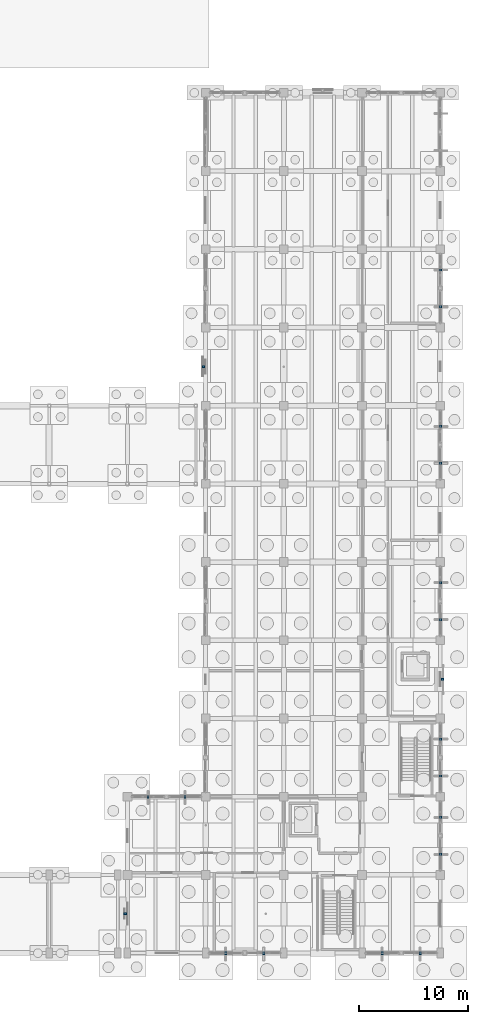
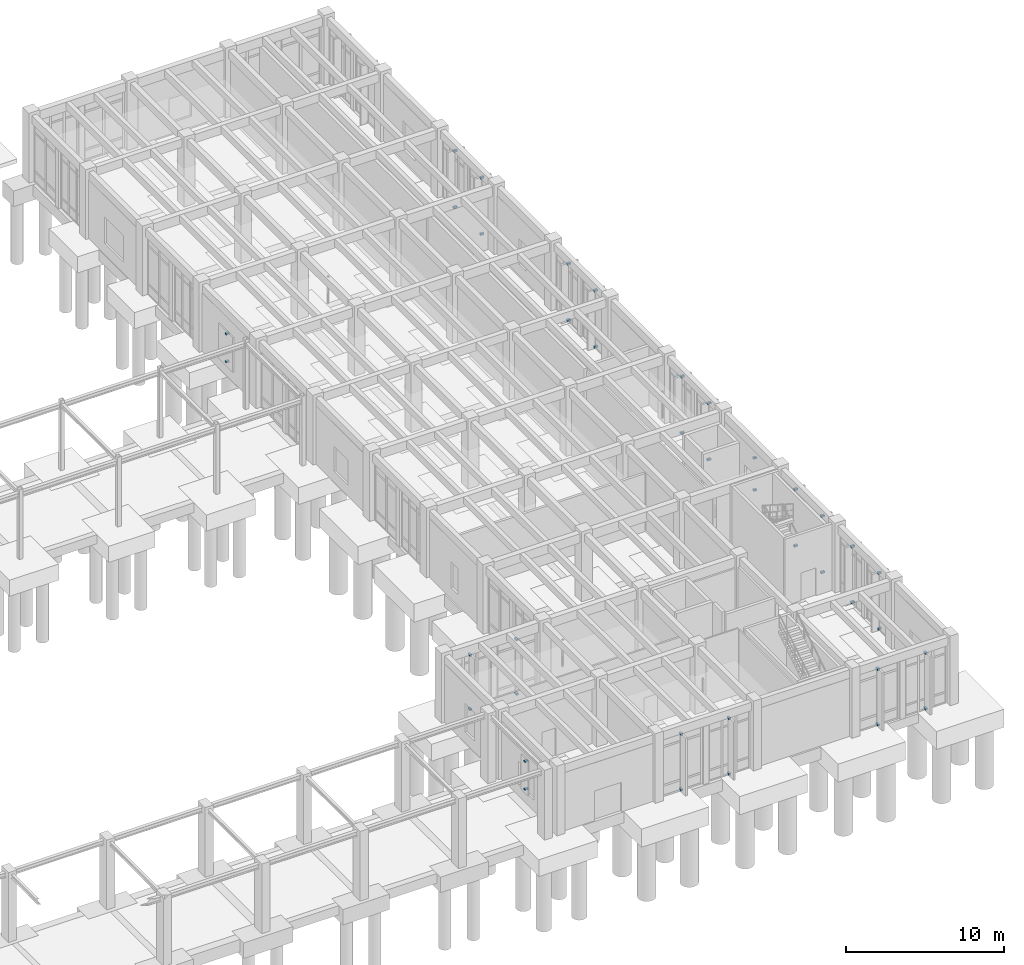
# One storey, part 81 of 93: 38 discrete accessories.
"""IFC4 building model written with IfcOpenShell, lengths in metres."""

from ifc_helpers import new_model, si_unit, direction, frame, origin, origin_2d, place, context, subcontext, project, spatial, rectangle, extrude, material, type_object, element, save


model = new_model("IFC4")

# Units and contexts
model_context = context("Model", 3, precision=1e-05, world=origin(), true_north=direction((0.0, 1.0)))
body_context = subcontext(model_context, "Body", "Model", "MODEL_VIEW")
ifc_project = project(units=[si_unit("LENGTHUNIT", "METRE"), si_unit("AREAUNIT", "SQUARE_METRE"), si_unit("VOLUMEUNIT", "CUBIC_METRE"), si_unit("PLANEANGLEUNIT", "RADIAN"), si_unit("MASSUNIT", "GRAM", prefix="KILO")], contexts=[model_context])

# Site, building, storey
site_placement = place(None, origin())
site = spatial("IfcSite", under=ifc_project, at=site_placement, CompositionType="ELEMENT")
building_placement = place(site_placement, origin())
building = spatial("IfcBuilding", under=site, at=building_placement, Name="Koriwan Promenade Central Fire Station", CompositionType="ELEMENT")
storey_placement = place(building_placement, origin())
storey = spatial("IfcBuildingStorey", under=building, at=storey_placement, Name="L00", CompositionType="ELEMENT", Elevation=0.0)

# Discrete accessories
ifc_material = material(Name="Steel ASTM A572 Grade 50", Category="steel")
discrete_accessory_type_1 = type_object("IfcDiscreteAccessoryType", Name="FacadeBracket_Fin", PredefinedType="BRACKET", material=ifc_material)
for number, where, z_axis, x_axis, name in (
    (1, (170.949951171875, -0.02001953125, 0.02001953125), (0.0, 0.0, 1.0), (0.0, -1.0, 0.0), "Solar fin outrigger bracket 011-BOT"),
    (2, (170.949951171875, -0.02001953125, 4.330078125), (0.0, 0.0, 1.0), (0.0, -1.0, 0.0), "Solar fin outrigger bracket 011-TOP"),
    (3, (167.449951171875, -0.02001953125, 0.02001953125), (0.0, 0.0, 1.0), (0.0, -1.0, 0.0), "Solar fin outrigger bracket 012-BOT"),
    (4, (167.449951171875, -0.02001953125, 4.330078125), (0.0, 0.0, 1.0), (0.0, -1.0, 0.0), "Solar fin outrigger bracket 012-TOP"),
    (5, (156.550048828125, -0.02001953125, 0.02001953125), (0.0, 0.0, 1.0), (0.0, -1.0, 0.0), "Solar fin outrigger bracket 013-BOT"),
    (6, (156.550048828125, -0.02001953125, 4.330078125), (0.0, 0.0, 1.0), (0.0, -1.0, 0.0), "Solar fin outrigger bracket 013-TOP"),
    (7, (153.050048828125, -0.02001953125, 0.02001953125), (0.0, 0.0, 1.0), (0.0, -1.0, 0.0), "Solar fin outrigger bracket 014-BOT"),
    (8, (153.050048828125, -0.02001953125, 4.330078125), (0.0, 0.0, 1.0), (0.0, -1.0, 0.0), "Solar fin outrigger bracket 014-TOP"),
    (9, (145.89990234375, 14.3798828125, 0.02001953125), (0.0, 0.0, 1.0), (0.0, -1.0, 0.0), "Solar fin outrigger bracket 015-BOT"),
    (10, (145.89990234375, 14.3798828125, 4.22998046875), (0.0, 0.0, 1.0), (0.0, -1.0, 0.0), "Solar fin outrigger bracket 015-TOP"),
    (11, (149.300048828125, 14.3798828125, 0.02001953125), (0.0, 0.0, 1.0), (0.0, -1.0, 0.0), "Solar fin outrigger bracket 016-BOT"),
    (12, (149.300048828125, 14.3798828125, 4.22998046875), (0.0, 0.0, 1.0), (0.0, -1.0, 0.0), "Solar fin outrigger bracket 016-TOP"),
    (13, (172.820068359375, 62.89990234375, 0.02001953125), (0.0, 0.0, 1.0), (1.0, 0.0, 0.0), "Solar fin outrigger bracket 019-BOT"),
    (14, (172.820068359375, 62.89990234375, 4.3798828125), (0.0, 0.0, 1.0), (1.0, 0.0, 0.0), "Solar fin outrigger bracket 019-TOP"),
    (15, (172.820068359375, 59.5, 0.02001953125), (0.0, 0.0, 1.0), (1.0, 0.0, 0.0), "Solar fin outrigger bracket 020-BOT"),
    (16, (172.820068359375, 59.5, 4.3798828125), (0.0, 0.0, 1.0), (1.0, 0.0, 0.0), "Solar fin outrigger bracket 020-TOP"),
    (17, (172.820068359375, 48.5, 0.02001953125), (0.0, 0.0, 1.0), (1.0, 0.0, 0.0), "Solar fin outrigger bracket 021-BOT"),
    (18, (172.820068359375, 48.5, 4.3798828125), (0.0, 0.0, 1.0), (1.0, 0.0, 0.0), "Solar fin outrigger bracket 021-TOP"),
    (19, (172.820068359375, 45.10009765625, 0.02001953125), (0.0, 0.0, 1.0), (1.0, 0.0, 0.0), "Solar fin outrigger bracket 022-BOT"),
    (20, (172.820068359375, 45.10009765625, 4.3798828125), (0.0, 0.0, 1.0), (1.0, 0.0, 0.0), "Solar fin outrigger bracket 022-TOP"),
    (21, (172.820068359375, 34.10009765625, 0.02001953125), (0.0, 0.0, 1.0), (1.0, 0.0, 0.0), "Solar fin outrigger bracket 023-BOT"),
    (22, (172.820068359375, 34.10009765625, 4.3798828125), (0.0, 0.0, 1.0), (1.0, 0.0, 0.0), "Solar fin outrigger bracket 023-TOP"),
    (23, (172.820068359375, 30.699951171875, 0.02001953125), (0.0, 0.0, 1.0), (1.0, 0.0, 0.0), "Solar fin outrigger bracket 024-BOT"),
    (24, (172.820068359375, 30.699951171875, 4.3798828125), (0.0, 0.0, 1.0), (1.0, 0.0, 0.0), "Solar fin outrigger bracket 024-TOP"),
    (25, (172.820068359375, 19.699951171875, 0.02001953125), (0.0, 0.0, 1.0), (1.0, 0.0, 0.0), "Solar fin outrigger bracket 025-BOT"),
    (26, (172.820068359375, 19.699951171875, 4.3798828125), (0.0, 0.0, 1.0), (1.0, 0.0, 0.0), "Solar fin outrigger bracket 025-TOP"),
    (27, (172.820068359375, 16.300048828125, 0.02001953125), (0.0, 0.0, 1.0), (1.0, 0.0, 0.0), "Solar fin outrigger bracket 026-BOT"),
    (28, (172.820068359375, 16.300048828125, 4.3798828125), (0.0, 0.0, 1.0), (1.0, 0.0, 0.0), "Solar fin outrigger bracket 026-TOP"),
    (29, (172.820068359375, 12.5, 0.02001953125), (0.0, 0.0, 1.0), (1.0, 0.0, 0.0), "Solar fin outrigger bracket 027-BOT"),
    (30, (172.820068359375, 12.5, 4.330078125), (0.0, 0.0, 1.0), (1.0, 0.0, 0.0), "Solar fin outrigger bracket 027-TOP"),
    (31, (172.820068359375, 9.10009765625, 0.02001953125), (0.0, 0.0, 1.0), (1.0, 0.0, 0.0), "Solar fin outrigger bracket 028-BOT"),
    (32, (172.820068359375, 9.10009765625, 4.330078125), (0.0, 0.0, 1.0), (1.0, 0.0, 0.0), "Solar fin outrigger bracket 028-TOP"),
):
    element("IfcDiscreteAccessory", number, at=place(storey_placement, frame(where, z_axis=z_axis, x_axis=x_axis)), inside=storey, type_object=discrete_accessory_type_1, Name=name, PredefinedType="BRACKET", context=body_context, shape_type="SweptSolid", body=[
        extrude(rectangle(XDim=0.260009765625, YDim=0.159912109375, at=origin_2d()), origin(), (0.0, 0.0, 1.0), 0.139892578125),
    ])
discrete_accessory_type_2 = type_object("IfcDiscreteAccessoryType", Name="FacadeBracket_Jali", PredefinedType="BRACKET", material=ifc_material)
for number, where, z_axis, x_axis, name in (
    (33, (143.800048828125, 3.625, 1.10498046875), (0.0, 0.0, 1.0), (-1.0, 0.0, 0.0), "Jali corbel bracket 011-B"),
    (34, (143.800048828125, 3.625, 3.264892578125), (0.0, 0.0, 1.0), (-1.0, 0.0, 0.0), "Jali corbel bracket 011-T"),
    (35, (151.0, 54.0, 1.1298828125), (0.0, 0.0, 1.0), (-1.0, 0.0, 0.0), "Jali corbel bracket 012-B"),
    (36, (151.0, 54.0, 3.2900390625), (0.0, 0.0, 1.0), (-1.0, 0.0, 0.0), "Jali corbel bracket 012-T"),
    (37, (173.0, 25.199951171875, 0.94482421875), (0.0, 0.0, 1.0), (1.0, 0.0, 0.0), "Jali corbel bracket 014-B"),
    (38, (173.0, 25.199951171875, 3.425048828125), (0.0, 0.0, 1.0), (1.0, 0.0, 0.0), "Jali corbel bracket 014-T"),
):
    element("IfcDiscreteAccessory", number, at=place(storey_placement, frame(where, z_axis=z_axis, x_axis=x_axis)), inside=storey, type_object=discrete_accessory_type_2, Name=name, PredefinedType="BRACKET", context=body_context, shape_type="SweptSolid", body=[
        extrude(rectangle(XDim=0.239990234375, YDim=0.179931640625, at=origin_2d()), origin(), (0.0, 0.0, 1.0), 0.1201171875),
    ])

save(model, "model.ifc")
